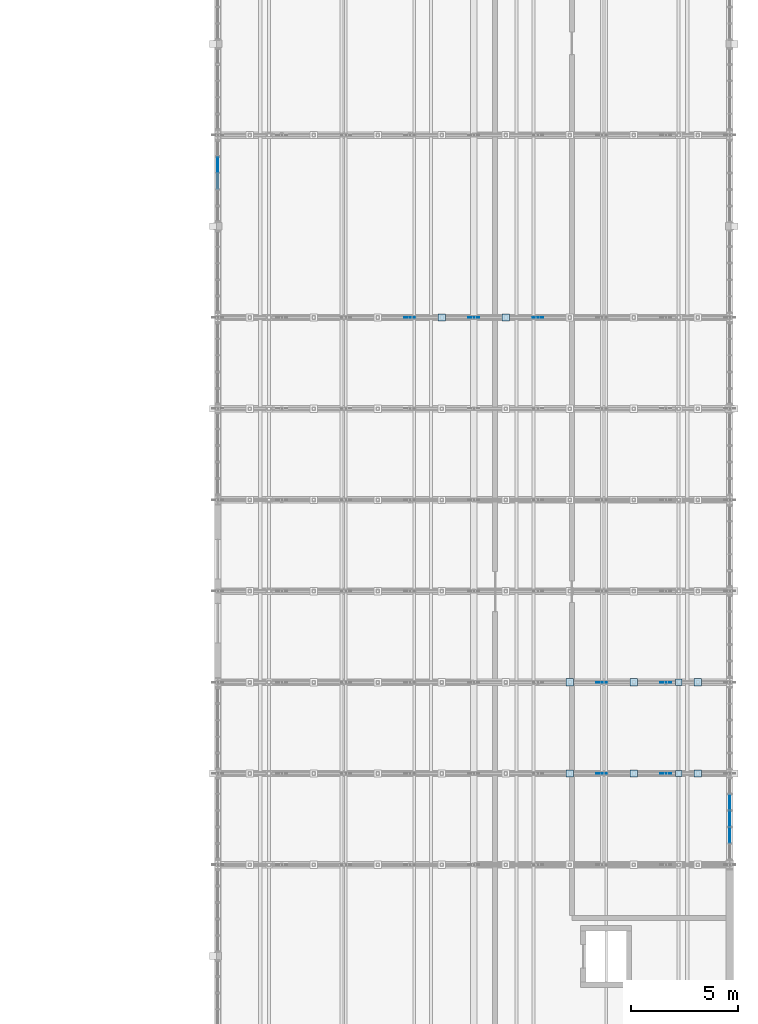
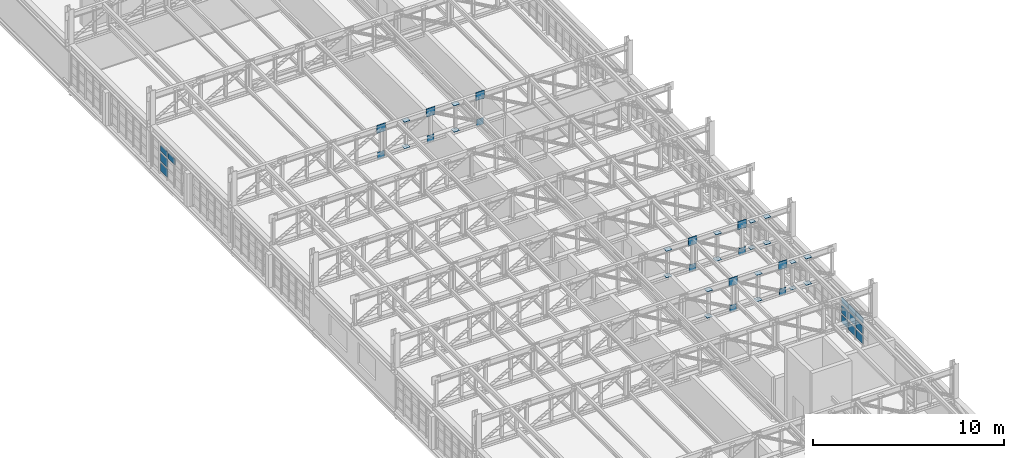
# One storey, part 108 of 128: 47 plates, 2 elements without a shape of their own.
"""IFC4 building model written with IfcOpenShell, lengths in metres."""

from ifc_helpers import new_model, si_unit, direction, frame, origin, origin_2d, place, context, subcontext, project, spatial, rectangle, extrude, material, layer, layer_set, type_object, element, aggregate, save


model = new_model("IFC4")

# Units and contexts
model_context = context("Model", 3, precision=1e-05, world=origin(), true_north=direction((0.0, 1.0)))
body_context = subcontext(model_context, "Body", "Model", "MODEL_VIEW")
ifc_project = project(units=[si_unit("LENGTHUNIT", "METRE"), si_unit("AREAUNIT", "SQUARE_METRE"), si_unit("VOLUMEUNIT", "CUBIC_METRE"), si_unit("PLANEANGLEUNIT", "RADIAN"), si_unit("MASSUNIT", "GRAM", prefix="KILO")], contexts=[model_context])

# Site, building, storey
site_placement = place(None, origin())
site = spatial("IfcSite", under=ifc_project, at=site_placement, CompositionType="ELEMENT")
building_placement = place(site_placement, origin())
building = spatial("IfcBuilding", under=site, at=building_placement, Name="Serraforn Aerial Cableway Station", CompositionType="ELEMENT")
storey_placement = place(building_placement, frame((0.0, 0.0, 9.0)))
storey = spatial("IfcBuildingStorey", under=building, at=storey_placement, Name="L02", CompositionType="ELEMENT", Elevation=9.0)

# Curtain wall, plates
ifc_material_1 = material(Name="Anodised bronze unitised curtain wall")
curtain_wall_type_1 = type_object("IfcCurtainWallType", Name="CW-SYS-27", PredefinedType="USERDEFINED", material=ifc_material_1)
curtain_wall_1_placement = place(storey_placement, origin())
curtain_wall_1 = element("IfcCurtainWall", 1, at=curtain_wall_1_placement, inside=storey, type_object=curtain_wall_type_1, Name="Unitised Curtain Wall CW-EG-L02-E3A", ObjectType="UNITISED CURTAIN WALL", PredefinedType="USERDEFINED")
ifc_material_2 = material(Name="Solar-control low-E double glazing", Category="glass")
ifc_layer_1 = layer(ifc_material_2, 0.02587890625)
ifc_layer_set_1 = layer_set([ifc_layer_1], Name="Solar-control low-E double glazing")
plate_type_1 = type_object("IfcPlateType", Name="CW-GLZ-1", PredefinedType="CURTAIN_PANEL", material=ifc_layer_set_1)
plate_1_placement = place(storey_placement, frame((168.0, 65.632080078125, 1.414794921875), z_axis=(0.0, 0.0, 1.0), x_axis=(1.0, 0.0, 0.0)))
plate_1 = element("IfcPlate", 2, at=plate_1_placement, type_object=plate_type_1, Name="Curtain Wall Panel CW-EG-L02-E3A-P4-3", PredefinedType="CURTAIN_PANEL", context=body_context, shape_type="SweptSolid", body=[
    extrude(rectangle(XDim=0.02587890625, YDim=0.705810546875, at=origin_2d()), origin(), (0.0, 0.0, 1.0), 0.38525390625),
])
ifc_layer_2 = layer(ifc_material_2, 0.033935546875)
ifc_layer_set_2 = layer_set([ifc_layer_2], Name="Solar-control low-E double glazing")
plate_type_2 = type_object("IfcPlateType", Name="CW-GLZ-5", PredefinedType="CURTAIN_PANEL", material=ifc_layer_set_2)
plate_2_placement = place(storey_placement, frame((168.0, 64.083251953125, 0.150390625), z_axis=(0.0, 0.0, 1.0), x_axis=(1.0, 0.0, 0.0)))
plate_2 = element("IfcPlate", 3, at=plate_2_placement, type_object=plate_type_2, Name="Curtain Wall Panel CW-EG-L02-E3A-P2-1", PredefinedType="CURTAIN_PANEL", context=body_context, shape_type="SweptSolid", body=[
    extrude(rectangle(XDim=0.033935546875, YDim=0.7158203125, at=origin_2d()), origin(), (0.0, 0.0, 1.0), 0.49755859375),
])

# Curtain wall, plate
curtain_wall_type_2 = type_object("IfcCurtainWallType", Name="CW-SYS-7", PredefinedType="USERDEFINED", material=ifc_material_1)
curtain_wall_2_placement = place(storey_placement, origin())
curtain_wall_2 = element("IfcCurtainWall", 4, at=curtain_wall_2_placement, inside=storey, type_object=curtain_wall_type_2, Name="Unitised Curtain Wall CW-EG-L02-W6A", ObjectType="UNITISED CURTAIN WALL", PredefinedType="USERDEFINED")
plate_3_placement = place(storey_placement, frame((144.0, 95.510498046875, 0.137939453125), z_axis=(0.0, 0.0, 1.0), x_axis=(1.0, 0.0, 0.0)))
plate_3 = element("IfcPlate", 5, at=plate_3_placement, type_object=plate_type_2, Name="Curtain Wall Panel CW-EG-L02-W6A-P2-1", PredefinedType="CURTAIN_PANEL", context=body_context, shape_type="SweptSolid", body=[
    extrude(rectangle(XDim=0.033935546875, YDim=0.71337890625, at=origin_2d()), origin(), (0.0, 0.0, 1.0), 0.52490234375),
])

# Plate
ifc_layer_3 = layer(ifc_material_2, 0.035888671875)
ifc_layer_set_3 = layer_set([ifc_layer_3], Name="Solar-control low-E double glazing")
plate_type_3 = type_object("IfcPlateType", Name="CW-GLZ-6", PredefinedType="CURTAIN_PANEL", material=ifc_layer_set_3)
plate_4_placement = place(storey_placement, frame((168.0, 64.083251953125, 0.7939453125), z_axis=(0.0, 0.0, 1.0), x_axis=(1.0, 0.0, 0.0)))
plate_4 = element("IfcPlate", 6, at=plate_4_placement, type_object=plate_type_3, Name="Curtain Wall Panel CW-EG-L02-E3A-P2-2", PredefinedType="CURTAIN_PANEL", context=body_context, shape_type="SweptSolid", body=[
    extrude(rectangle(XDim=0.035888671875, YDim=0.7158203125, at=origin_2d()), origin(), (0.0, 0.0, 1.0), 0.482421875),
])

plate_5_placement = place(storey_placement, frame((168.0, 64.857666015625, 0.15771484375), z_axis=(0.0, 0.0, 1.0), x_axis=(1.0, 0.0, 0.0)))
plate_5 = element("IfcPlate", 7, at=plate_5_placement, type_object=plate_type_3, Name="Curtain Wall Panel CW-EG-L02-E3A-P3-1", PredefinedType="CURTAIN_PANEL", context=body_context, shape_type="SweptSolid", body=[
    extrude(rectangle(XDim=0.035888671875, YDim=0.7109375, at=origin_2d()), origin(), (0.0, 0.0, 1.0), 0.482421875),
])

plate_6_placement = place(storey_placement, frame((144.0, 95.510498046875, 0.77880859375), z_axis=(0.0, 0.0, 1.0), x_axis=(1.0, 0.0, 0.0)))
plate_6 = element("IfcPlate", 8, at=plate_6_placement, type_object=plate_type_3, Name="Curtain Wall Panel CW-EG-L02-W6A-P2-2", PredefinedType="CURTAIN_PANEL", context=body_context, shape_type="SweptSolid", body=[
    extrude(rectangle(XDim=0.035888671875, YDim=0.71337890625, at=origin_2d()), origin(), (0.0, 0.0, 1.0), 0.512451171875),
])

ifc_layer_4 = layer(ifc_material_2, 0.029052734375)
ifc_layer_set_4 = layer_set([ifc_layer_4], Name="Solar-control low-E double glazing")
plate_type_4 = type_object("IfcPlateType", Name="CW-GLZ-7", PredefinedType="CURTAIN_PANEL", material=ifc_layer_set_4)
plate_7_placement = place(storey_placement, frame((168.0, 64.083251953125, 1.4375), z_axis=(0.0, 0.0, 1.0), x_axis=(1.0, 0.0, 0.0)))
plate_7 = element("IfcPlate", 9, at=plate_7_placement, type_object=plate_type_4, Name="Curtain Wall Panel CW-EG-L02-E3A-P2-3", PredefinedType="CURTAIN_PANEL", context=body_context, shape_type="SweptSolid", body=[
    extrude(rectangle(XDim=0.029052734375, YDim=0.7158203125, at=origin_2d()), origin(), (0.0, 0.0, 1.0), 0.375244140625),
])

plate_8_placement = place(storey_placement, frame((168.0, 64.857666015625, 0.80126953125), z_axis=(0.0, 0.0, 1.0), x_axis=(1.0, 0.0, 0.0)))
plate_8 = element("IfcPlate", 10, at=plate_8_placement, type_object=plate_type_4, Name="Curtain Wall Panel CW-EG-L02-E3A-P3-2", PredefinedType="CURTAIN_PANEL", context=body_context, shape_type="SweptSolid", body=[
    extrude(rectangle(XDim=0.029052734375, YDim=0.7109375, at=origin_2d()), origin(), (0.0, 0.0, 1.0), 0.50244140625),
])

plate_9_placement = place(storey_placement, frame((168.0, 65.632080078125, 0.165283203125), z_axis=(0.0, 0.0, 1.0), x_axis=(1.0, 0.0, 0.0)))
plate_9 = element("IfcPlate", 11, at=plate_9_placement, type_object=plate_type_4, Name="Curtain Wall Panel CW-EG-L02-E3A-P4-1", PredefinedType="CURTAIN_PANEL", context=body_context, shape_type="SweptSolid", body=[
    extrude(rectangle(XDim=0.029052734375, YDim=0.705810546875, at=origin_2d()), origin(), (0.0, 0.0, 1.0), 0.50244140625),
])

plate_10_placement = place(storey_placement, frame((144.0, 95.510498046875, 1.42236328125), z_axis=(0.0, 0.0, 1.0), x_axis=(1.0, 0.0, 0.0)))
plate_10 = element("IfcPlate", 12, at=plate_10_placement, type_object=plate_type_4, Name="Curtain Wall Panel CW-EG-L02-W6A-P2-3", PredefinedType="CURTAIN_PANEL", context=body_context, shape_type="SweptSolid", body=[
    extrude(rectangle(XDim=0.029052734375, YDim=0.71337890625, at=origin_2d()), origin(), (0.0, 0.0, 1.0), 0.370361328125),
])

ifc_layer_5 = layer(ifc_material_2, 0.031005859375)
ifc_layer_set_5 = layer_set([ifc_layer_5], Name="Solar-control low-E double glazing")
plate_type_5 = type_object("IfcPlateType", Name="CW-GLZ-8", PredefinedType="CURTAIN_PANEL", material=ifc_layer_set_5)
plate_11_placement = place(storey_placement, frame((168.0, 64.857666015625, 1.40966796875), z_axis=(0.0, 0.0, 1.0), x_axis=(1.0, 0.0, 0.0)))
plate_11 = element("IfcPlate", 13, at=plate_11_placement, type_object=plate_type_5, Name="Curtain Wall Panel CW-EG-L02-E3A-P3-3", PredefinedType="CURTAIN_PANEL", context=body_context, shape_type="SweptSolid", body=[
    extrude(rectangle(XDim=0.031005859375, YDim=0.7109375, at=origin_2d()), origin(), (0.0, 0.0, 1.0), 0.397705078125),
])

plate_12_placement = place(storey_placement, frame((168.0, 65.632080078125, 0.77392578125), z_axis=(0.0, 0.0, 1.0), x_axis=(1.0, 0.0, 0.0)))
plate_12 = element("IfcPlate", 14, at=plate_12_placement, type_object=plate_type_5, Name="Curtain Wall Panel CW-EG-L02-E3A-P4-2", PredefinedType="CURTAIN_PANEL", context=body_context, shape_type="SweptSolid", body=[
    extrude(rectangle(XDim=0.031005859375, YDim=0.705810546875, at=origin_2d()), origin(), (0.0, 0.0, 1.0), 0.52490234375),
])

aggregate(curtain_wall_1, [plate_2, plate_4, plate_7, plate_5, plate_8, plate_11, plate_9, plate_12, plate_1])

plate_13_placement = place(storey_placement, frame((144.0, 94.7421875, 1.4296875), z_axis=(0.0, 0.0, 1.0), x_axis=(1.0, 0.0, 0.0)))
plate_13 = element("IfcPlate", 15, at=plate_13_placement, type_object=plate_type_5, Name="Curtain Wall Panel CW-EG-L02-W6A-P3-3", PredefinedType="CURTAIN_PANEL", context=body_context, shape_type="SweptSolid", body=[
    extrude(rectangle(XDim=0.031005859375, YDim=0.720947265625, at=origin_2d()), origin(), (0.0, 0.0, 1.0), 0.355224609375),
])

aggregate(curtain_wall_2, [plate_3, plate_6, plate_10, plate_13])

# Plates
ifc_material_3 = material(Name="Steel S355J2", Category="steel")
ifc_layer_6 = layer(ifc_material_3, 0.01611328125)
ifc_layer_set_6 = layer_set([ifc_layer_6], Name="Steel S355J2")
plate_type_6 = type_object("IfcPlateType", Name="PLT-CAP-16", PredefinedType="USERDEFINED", material=ifc_layer_set_6)
for number, where, z_axis, x_axis, name in (
    (16, (165.60009765625, 66.97509765625, 2.592041015625), (0.0, 0.0, 1.0), (1.0, 0.0, 0.0), "Suspension Post Bottom Cap 018"),
    (17, (165.60009765625, 66.97509765625, 4.281982421875), (0.0, 0.0, 1.0), (1.0, 0.0, 0.0), "Suspension Post Top Cap 018"),
    (18, (165.60009765625, 71.25, 2.592041015625), (0.0, 0.0, 1.0), (1.0, 0.0, 0.0), "Suspension Post Bottom Cap 024"),
    (19, (165.60009765625, 71.25, 4.281982421875), (0.0, 0.0, 1.0), (1.0, 0.0, 0.0), "Suspension Post Top Cap 024"),
):
    element("IfcPlate", number, at=place(storey_placement, frame(where, z_axis=z_axis, x_axis=x_axis)), inside=storey, type_object=plate_type_6, Name=name, ObjectType="CAP PLATE", PredefinedType="USERDEFINED", context=body_context, shape_type="SweptSolid", body=[
        extrude(rectangle(XDim=0.300048828125, YDim=0.300048828125, at=origin_2d()), origin(), (0.0, 0.0, 1.0), 0.01611328125),
    ])
ifc_layer_7 = layer(ifc_material_3, 0.01806640625)
ifc_layer_set_7 = layer_set([ifc_layer_7], Name="Steel S355J2")
plate_type_7 = type_object("IfcPlateType", Name="PLT-CAP-18", PredefinedType="USERDEFINED", material=ifc_layer_set_7)
for number, where, z_axis, x_axis, name in (
    (20, (160.5, 66.97509765625, 2.591064453125), (0.0, 0.0, 1.0), (1.0, 0.0, 0.0), "Sub-Vertical Strut Bottom Cap GT-04-6"),
    (21, (160.5, 66.97509765625, 4.281005859375), (0.0, 0.0, 1.0), (1.0, 0.0, 0.0), "Sub-Vertical Strut Top Cap GT-04-6"),
    (22, (163.5, 66.97509765625, 2.591064453125), (0.0, 0.0, 1.0), (1.0, 0.0, 0.0), "Sub-Vertical Strut Bottom Cap GT-04-7"),
    (23, (163.5, 66.97509765625, 4.281005859375), (0.0, 0.0, 1.0), (1.0, 0.0, 0.0), "Sub-Vertical Strut Top Cap GT-04-7"),
    (24, (166.5, 66.97509765625, 2.591064453125), (0.0, 0.0, 1.0), (1.0, 0.0, 0.0), "Sub-Vertical Strut Bottom Cap GT-04-8"),
    (25, (166.5, 66.97509765625, 4.281005859375), (0.0, 0.0, 1.0), (1.0, 0.0, 0.0), "Sub-Vertical Strut Top Cap GT-04-8"),
    (26, (160.5, 71.25, 2.591064453125), (0.0, 0.0, 1.0), (1.0, 0.0, 0.0), "Sub-Vertical Strut Bottom Cap GT-05-6"),
    (27, (160.5, 71.25, 4.281005859375), (0.0, 0.0, 1.0), (1.0, 0.0, 0.0), "Sub-Vertical Strut Top Cap GT-05-6"),
    (28, (163.5, 71.25, 2.591064453125), (0.0, 0.0, 1.0), (1.0, 0.0, 0.0), "Sub-Vertical Strut Bottom Cap GT-05-7"),
    (29, (163.5, 71.25, 4.281005859375), (0.0, 0.0, 1.0), (1.0, 0.0, 0.0), "Sub-Vertical Strut Top Cap GT-05-7"),
    (30, (166.5, 71.25, 2.591064453125), (0.0, 0.0, 1.0), (1.0, 0.0, 0.0), "Sub-Vertical Strut Bottom Cap GT-05-8"),
    (31, (166.5, 71.25, 4.281005859375), (0.0, 0.0, 1.0), (1.0, 0.0, 0.0), "Sub-Vertical Strut Top Cap GT-05-8"),
    (32, (154.5, 88.35009765625, 2.591064453125), (0.0, 0.0, 1.0), (1.0, 0.0, 0.0), "Sub-Vertical Strut Bottom Cap GT-09-4"),
    (33, (154.5, 88.35009765625, 4.281005859375), (0.0, 0.0, 1.0), (1.0, 0.0, 0.0), "Sub-Vertical Strut Top Cap GT-09-4"),
    (34, (157.5, 88.35009765625, 2.591064453125), (0.0, 0.0, 1.0), (1.0, 0.0, 0.0), "Sub-Vertical Strut Bottom Cap GT-09-5"),
    (35, (157.5, 88.35009765625, 4.281005859375), (0.0, 0.0, 1.0), (1.0, 0.0, 0.0), "Sub-Vertical Strut Top Cap GT-09-5"),
):
    element("IfcPlate", number, at=place(storey_placement, frame(where, z_axis=z_axis, x_axis=x_axis)), inside=storey, type_object=plate_type_7, Name=name, ObjectType="CAP PLATE", PredefinedType="USERDEFINED", context=body_context, shape_type="SweptSolid", body=[
        extrude(rectangle(XDim=0.340087890625, YDim=0.340087890625, at=origin_2d()), origin(), (0.0, 0.0, 1.0), 0.01806640625),
    ])
ifc_layer_8 = layer(ifc_material_3, 0.02197265625)
ifc_layer_set_8 = layer_set([ifc_layer_8], Name="Steel S355J2")
plate_type_8 = type_object("IfcPlateType", Name="PLT-CAP-22", PredefinedType="USERDEFINED", material=ifc_layer_set_8)
for number, where, z_axis, x_axis, name in (
    (36, (162.0, 66.97509765625, 2.39013671875), (0.0, 0.0, 1.0), (1.0, 0.0, 0.0), "Garage Truss Bottom Node GT-04-7"),
    (37, (165.0, 66.97509765625, 2.39013671875), (0.0, 0.0, 1.0), (1.0, 0.0, 0.0), "Garage Truss Bottom Node GT-04-8"),
    (38, (162.0, 71.25, 2.39013671875), (0.0, 0.0, 1.0), (1.0, 0.0, 0.0), "Garage Truss Bottom Node GT-05-7"),
    (39, (165.0, 71.25, 2.39013671875), (0.0, 0.0, 1.0), (1.0, 0.0, 0.0), "Garage Truss Bottom Node GT-05-8"),
    (40, (153.0, 88.35009765625, 2.39013671875), (0.0, 0.0, 1.0), (1.0, 0.0, 0.0), "Garage Truss Bottom Node GT-09-4"),
    (41, (156.0, 88.35009765625, 2.39013671875), (0.0, 0.0, 1.0), (1.0, 0.0, 0.0), "Garage Truss Bottom Node GT-09-5"),
    (42, (159.0, 88.35009765625, 2.39013671875), (0.0, 0.0, 1.0), (1.0, 0.0, 0.0), "Garage Truss Bottom Node GT-09-6"),
):
    element("IfcPlate", number, at=place(storey_placement, frame(where, z_axis=z_axis, x_axis=x_axis)), inside=storey, type_object=plate_type_8, Name=name, ObjectType="CAP PLATE", PredefinedType="USERDEFINED", context=body_context, shape_type="SweptSolid", body=[
        extrude(rectangle(XDim=0.419921875, YDim=0.02197265625, at=origin_2d()), origin(), (0.0, 0.0, 1.0), 0.419921875),
    ])
ifc_layer_9 = layer(ifc_material_3, 0.02587890625)
ifc_layer_set_9 = layer_set([ifc_layer_9], Name="Steel S355J2")
plate_type_9 = type_object("IfcPlateType", Name="PLT-GUS-26", PredefinedType="USERDEFINED", material=ifc_layer_set_9)
for number, where, z_axis, x_axis, name in (
    (43, (162.0, 66.97509765625, 4.030029296875), (0.0, 0.0, 1.0), (1.0, 0.0, 0.0), "Garage Truss Top Node GT-04-7"),
    (44, (165.0, 66.97509765625, 4.030029296875), (0.0, 0.0, 1.0), (1.0, 0.0, 0.0), "Garage Truss Top Node GT-04-8"),
    (45, (162.0, 71.25, 4.030029296875), (0.0, 0.0, 1.0), (1.0, 0.0, 0.0), "Garage Truss Top Node GT-05-7"),
    (46, (165.0, 71.25, 4.030029296875), (0.0, 0.0, 1.0), (1.0, 0.0, 0.0), "Garage Truss Top Node GT-05-8"),
    (47, (153.0, 88.35009765625, 4.030029296875), (0.0, 0.0, 1.0), (1.0, 0.0, 0.0), "Garage Truss Top Node GT-09-4"),
    (48, (156.0, 88.35009765625, 4.030029296875), (0.0, 0.0, 1.0), (1.0, 0.0, 0.0), "Garage Truss Top Node GT-09-5"),
    (49, (159.0, 88.35009765625, 4.030029296875), (0.0, 0.0, 1.0), (1.0, 0.0, 0.0), "Garage Truss Top Node GT-09-6"),
):
    element("IfcPlate", number, at=place(storey_placement, frame(where, z_axis=z_axis, x_axis=x_axis)), inside=storey, type_object=plate_type_9, Name=name, ObjectType="GUSSET PLATE", PredefinedType="USERDEFINED", context=body_context, shape_type="SweptSolid", body=[
        extrude(rectangle(XDim=0.52001953125, YDim=0.02587890625, at=origin_2d()), origin(), (0.0, 0.0, 1.0), 0.52001953125),
    ])

save(model, "model.ifc")
